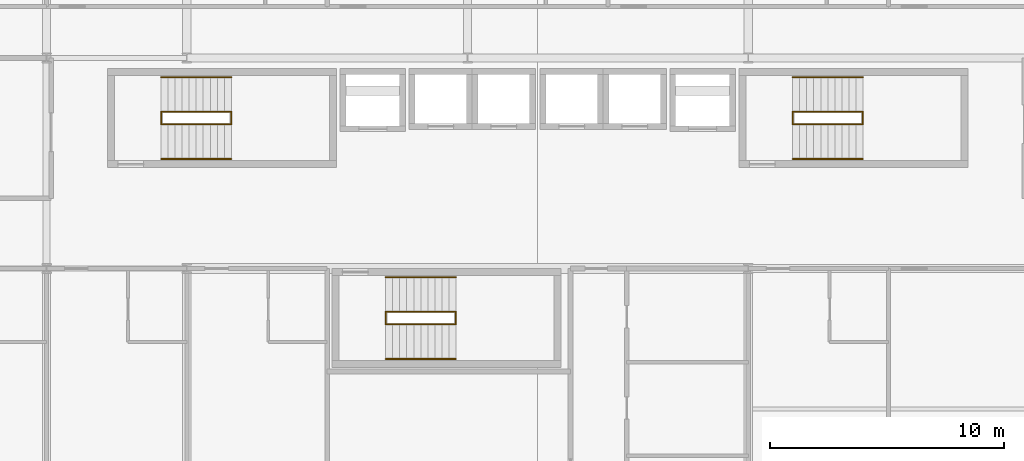
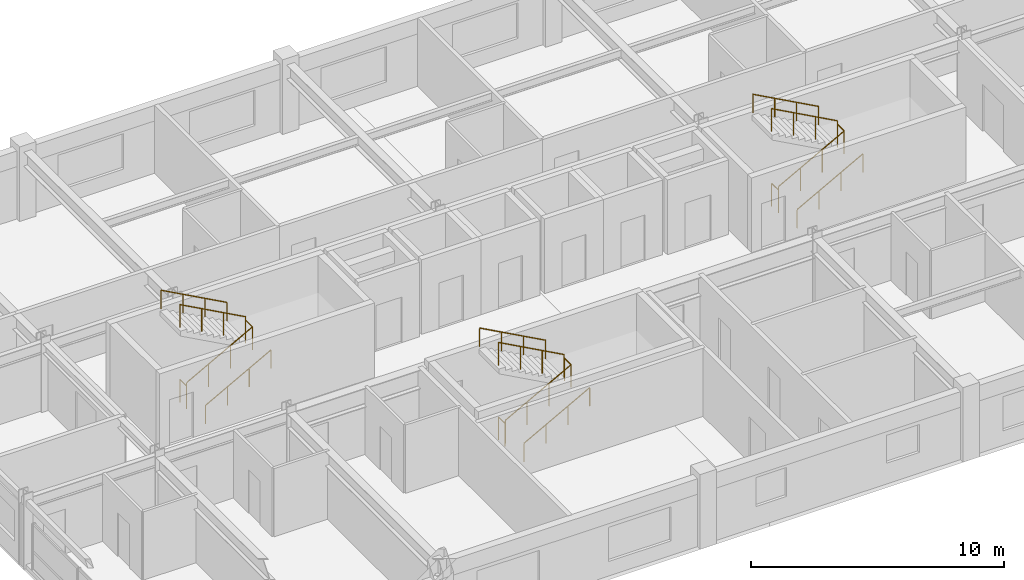
# One storey, part 20 of 20: 18 railings.
"""IFC4 building model written with IfcOpenShell, lengths in metres."""

from ifc_helpers import new_model, si_unit, direction, frame, origin, origin_2d, place, context, subcontext, project, spatial, circle, extrude, material, type_object, element, save


model = new_model("IFC4")

# Units and contexts
model_context = context("Model", 3, precision=1e-05, world=origin(), true_north=direction((0.0, 1.0)))
body_context = subcontext(model_context, "Body", "Model", "MODEL_VIEW")
ifc_project = project(units=[si_unit("LENGTHUNIT", "METRE"), si_unit("AREAUNIT", "SQUARE_METRE"), si_unit("VOLUMEUNIT", "CUBIC_METRE"), si_unit("PLANEANGLEUNIT", "RADIAN"), si_unit("MASSUNIT", "GRAM", prefix="KILO")], contexts=[model_context])

# Site, building, storey
site_placement = place(None, origin())
site = spatial("IfcSite", under=ifc_project, at=site_placement, CompositionType="ELEMENT")
building_placement = place(site_placement, origin())
building = spatial("IfcBuilding", under=site, at=building_placement, Name="Kaldorvane Square Convention Centre", CompositionType="ELEMENT")
storey_placement = place(building_placement, frame((0.0, 0.0, 52.80000305175781)))
storey = spatial("IfcBuildingStorey", under=building, at=storey_placement, Name="L12", CompositionType="ELEMENT", Elevation=52.80000305175781)

# Railings
ifc_material = material(Name="Architectural Painted Steel", Category="steel")
railing_type_1 = type_object("IfcRailingType", Name="RL-GUARD-1120", PredefinedType="BALUSTRADE", material=ifc_material)
for number, where, name in (
    (1, (40.899993896484375, 102.16999816894531, 0.0), "Tower Exit Stair T1 Floor Well Guard (L12)"),
    (2, (43.899993896484375, 102.16999816894531, 1.8000030517578125), "Tower Exit Stair T1 Half-Landing Guard (L12)"),
):
    element("IfcRailing", number, at=place(storey_placement, frame(where)), inside=storey, type_object=railing_type_1, Name=name, PredefinedType="BALUSTRADE", context=body_context, shape_type="SweptSolid", body=[
        extrude(circle(Radius=0.0240020751953125, at=origin_2d()), frame((0.0, 0.0, 1.0959930419921875), z_axis=(0.0, 1.0, 0.0), x_axis=(-1.0, 0.0, 0.0)), (0.0, 0.0, 1.0), 0.5200042724609375),
        extrude(circle(Radius=0.02099609375, at=origin_2d()), origin(), (0.0, 0.0, 1.0), 1.071990966796875),
        extrude(circle(Radius=0.02099609375, at=origin_2d()), frame((0.0, 0.5200042724609375, 0.0)), (0.0, 0.0, 1.0), 1.071990966796875),
    ])
railing_1_placement = place(storey_placement, frame((40.899993896484375, 102.16000366210938, 0.16363525390625)))
element("IfcRailing", 3, at=railing_1_placement, inside=storey, type_object=railing_type_1, Name="Tower Exit Stair T1 Flight 1 Guard (L12)", PredefinedType="BALUSTRADE", context=body_context, shape_type="SweptSolid", body=[
    extrude(circle(Radius=0.0240020751953125, at=origin_2d()), frame((0.0, 0.0, 1.0959930419921875), z_axis=(0.87789506098, 0.0, 0.478853069227), x_axis=(0.0, 1.0, 0.0)), (0.0, 0.0, 1.0), 3.417266845703125),
    extrude(circle(Radius=0.02099609375, at=origin_2d()), origin(), (0.0, 0.0, 1.0), 1.071990966796875),
    extrude(circle(Radius=0.02099609375, at=origin_2d()), frame((1.0, 0.0, 0.5454559326171875)), (0.0, 0.0, 1.0), 1.071990966796875),
    extrude(circle(Radius=0.02099609375, at=origin_2d()), frame((2.0, 0.0, 1.090911865234375)), (0.0, 0.0, 1.0), 1.071990966796875),
    extrude(circle(Radius=0.02099609375, at=origin_2d()), frame((3.0, 0.0, 1.6363677978515625)), (0.0, 0.0, 1.0), 1.071990966796875),
])
railing_2_placement = place(storey_placement, frame((43.899993896484375, 102.69999694824219, 1.9636383056640625)))
element("IfcRailing", 4, at=railing_2_placement, inside=storey, type_object=railing_type_1, Name="Tower Exit Stair T1 Flight 2 Guard (L12)", PredefinedType="BALUSTRADE", context=body_context, shape_type="SweptSolid", body=[
    extrude(circle(Radius=0.0240020751953125, at=origin_2d()), frame((0.0, 0.0, 1.0959930419921875), z_axis=(-0.877896938072, 0.0, 0.478849627883), x_axis=(0.0, -1.0, 0.0)), (0.0, 0.0, 1.0), 3.4172515869140625),
    extrude(circle(Radius=0.02099609375, at=origin_2d()), origin(), (0.0, 0.0, 1.0), 1.071990966796875),
    extrude(circle(Radius=0.02099609375, at=origin_2d()), frame((-1.0, 0.0, 0.5454559326171875)), (0.0, 0.0, 1.0), 1.071990966796875),
    extrude(circle(Radius=0.02099609375, at=origin_2d()), frame((-2.0, 0.0, 1.0908966064453125)), (0.0, 0.0, 1.0), 1.071990966796875),
    extrude(circle(Radius=0.02099609375, at=origin_2d()), frame((-3.0, 0.0, 1.6363525390625)), (0.0, 0.0, 1.0), 1.071990966796875),
])
for number, where, name in (
    (5, (67.89999389648438, 102.16999816894531, 0.0), "Tower Exit Stair T2 Floor Well Guard (L12)"),
    (6, (70.89999389648438, 102.16999816894531, 1.8000030517578125), "Tower Exit Stair T2 Half-Landing Guard (L12)"),
):
    element("IfcRailing", number, at=place(storey_placement, frame(where)), inside=storey, type_object=railing_type_1, Name=name, PredefinedType="BALUSTRADE", context=body_context, shape_type="SweptSolid", body=[
        extrude(circle(Radius=0.0240020751953125, at=origin_2d()), frame((0.0, 0.0, 1.0959930419921875), z_axis=(0.0, 1.0, 0.0), x_axis=(-1.0, 0.0, 0.0)), (0.0, 0.0, 1.0), 0.5200042724609375),
        extrude(circle(Radius=0.02099609375, at=origin_2d()), origin(), (0.0, 0.0, 1.0), 1.071990966796875),
        extrude(circle(Radius=0.02099609375, at=origin_2d()), frame((0.0, 0.5200042724609375, 0.0)), (0.0, 0.0, 1.0), 1.071990966796875),
    ])
railing_3_placement = place(storey_placement, frame((67.89999389648438, 102.16000366210938, 0.16363525390625)))
element("IfcRailing", 7, at=railing_3_placement, inside=storey, type_object=railing_type_1, Name="Tower Exit Stair T2 Flight 1 Guard (L12)", PredefinedType="BALUSTRADE", context=body_context, shape_type="SweptSolid", body=[
    extrude(circle(Radius=0.0240020751953125, at=origin_2d()), frame((0.0, 0.0, 1.0959930419921875), z_axis=(0.87789506098, 0.0, 0.478853069227), x_axis=(0.0, 1.0, 0.0)), (0.0, 0.0, 1.0), 3.417266845703125),
    extrude(circle(Radius=0.02099609375, at=origin_2d()), origin(), (0.0, 0.0, 1.0), 1.071990966796875),
    extrude(circle(Radius=0.02099609375, at=origin_2d()), frame((1.0, 0.0, 0.5454559326171875)), (0.0, 0.0, 1.0), 1.071990966796875),
    extrude(circle(Radius=0.02099609375, at=origin_2d()), frame((2.0, 0.0, 1.090911865234375)), (0.0, 0.0, 1.0), 1.071990966796875),
    extrude(circle(Radius=0.02099609375, at=origin_2d()), frame((3.0, 0.0, 1.6363677978515625)), (0.0, 0.0, 1.0), 1.071990966796875),
])
railing_4_placement = place(storey_placement, frame((70.89999389648438, 102.69999694824219, 1.9636383056640625)))
element("IfcRailing", 8, at=railing_4_placement, inside=storey, type_object=railing_type_1, Name="Tower Exit Stair T2 Flight 2 Guard (L12)", PredefinedType="BALUSTRADE", context=body_context, shape_type="SweptSolid", body=[
    extrude(circle(Radius=0.0240020751953125, at=origin_2d()), frame((0.0, 0.0, 1.0959930419921875), z_axis=(-0.877896938072, 0.0, 0.478849627883), x_axis=(0.0, -1.0, 0.0)), (0.0, 0.0, 1.0), 3.4172515869140625),
    extrude(circle(Radius=0.02099609375, at=origin_2d()), origin(), (0.0, 0.0, 1.0), 1.071990966796875),
    extrude(circle(Radius=0.02099609375, at=origin_2d()), frame((-1.0, 0.0, 0.5454559326171875)), (0.0, 0.0, 1.0), 1.071990966796875),
    extrude(circle(Radius=0.02099609375, at=origin_2d()), frame((-2.0, 0.0, 1.0908966064453125)), (0.0, 0.0, 1.0), 1.071990966796875),
    extrude(circle(Radius=0.02099609375, at=origin_2d()), frame((-3.0, 0.0, 1.6363525390625)), (0.0, 0.0, 1.0), 1.071990966796875),
])
for number, where, name in (
    (9, (50.5, 93.6199951171875, 0.0), "Tower Exit Stair T3 Floor Well Guard (L12)"),
    (10, (53.5, 93.6199951171875, 1.8000030517578125), "Tower Exit Stair T3 Half-Landing Guard (L12)"),
):
    element("IfcRailing", number, at=place(storey_placement, frame(where)), inside=storey, type_object=railing_type_1, Name=name, PredefinedType="BALUSTRADE", context=body_context, shape_type="SweptSolid", body=[
        extrude(circle(Radius=0.0240020751953125, at=origin_2d()), frame((0.0, 0.0, 1.0959930419921875), z_axis=(0.0, 1.0, 0.0), x_axis=(-1.0, 0.0, 0.0)), (0.0, 0.0, 1.0), 0.5200042724609375),
        extrude(circle(Radius=0.02099609375, at=origin_2d()), origin(), (0.0, 0.0, 1.0), 1.071990966796875),
        extrude(circle(Radius=0.02099609375, at=origin_2d()), frame((0.0, 0.5200042724609375, 0.0)), (0.0, 0.0, 1.0), 1.071990966796875),
    ])
railing_5_placement = place(storey_placement, frame((50.5, 93.61000061035156, 0.16363525390625)))
element("IfcRailing", 11, at=railing_5_placement, inside=storey, type_object=railing_type_1, Name="Tower Exit Stair T3 Flight 1 Guard (L12)", PredefinedType="BALUSTRADE", context=body_context, shape_type="SweptSolid", body=[
    extrude(circle(Radius=0.0240020751953125, at=origin_2d()), frame((0.0, 0.0, 1.0959930419921875), z_axis=(0.87789506098, 0.0, 0.478853069227), x_axis=(0.0, 1.0, 0.0)), (0.0, 0.0, 1.0), 3.417266845703125),
    extrude(circle(Radius=0.02099609375, at=origin_2d()), origin(), (0.0, 0.0, 1.0), 1.071990966796875),
    extrude(circle(Radius=0.02099609375, at=origin_2d()), frame((1.0, 0.0, 0.5454559326171875)), (0.0, 0.0, 1.0), 1.071990966796875),
    extrude(circle(Radius=0.02099609375, at=origin_2d()), frame((2.0, 0.0, 1.090911865234375)), (0.0, 0.0, 1.0), 1.071990966796875),
    extrude(circle(Radius=0.02099609375, at=origin_2d()), frame((3.0, 0.0, 1.6363677978515625)), (0.0, 0.0, 1.0), 1.071990966796875),
])
railing_6_placement = place(storey_placement, frame((53.5, 94.14999389648438, 1.9636383056640625)))
element("IfcRailing", 12, at=railing_6_placement, inside=storey, type_object=railing_type_1, Name="Tower Exit Stair T3 Flight 2 Guard (L12)", PredefinedType="BALUSTRADE", context=body_context, shape_type="SweptSolid", body=[
    extrude(circle(Radius=0.0240020751953125, at=origin_2d()), frame((0.0, 0.0, 1.0959930419921875), z_axis=(-0.877896938072, 0.0, 0.478849627883), x_axis=(0.0, -1.0, 0.0)), (0.0, 0.0, 1.0), 3.4172515869140625),
    extrude(circle(Radius=0.02099609375, at=origin_2d()), origin(), (0.0, 0.0, 1.0), 1.071990966796875),
    extrude(circle(Radius=0.02099609375, at=origin_2d()), frame((-1.0, 0.0, 0.5454559326171875)), (0.0, 0.0, 1.0), 1.071990966796875),
    extrude(circle(Radius=0.02099609375, at=origin_2d()), frame((-2.0, 0.0, 1.0908966064453125)), (0.0, 0.0, 1.0), 1.071990966796875),
    extrude(circle(Radius=0.02099609375, at=origin_2d()), frame((-3.0, 0.0, 1.6363525390625)), (0.0, 0.0, 1.0), 1.071990966796875),
])
railing_type_2 = type_object("IfcRailingType", Name="RL-HAND-915", PredefinedType="HANDRAIL", material=ifc_material)
railing_7_placement = place(storey_placement, frame((40.899993896484375, 100.67999267578125, 0.16363525390625)))
element("IfcRailing", 13, at=railing_7_placement, inside=storey, type_object=railing_type_2, Name="Tower Exit Stair T1 Wall Handrail 1 (L12)", PredefinedType="HANDRAIL", context=body_context, shape_type="SweptSolid", body=[
    extrude(circle(Radius=0.0240020751953125, at=origin_2d()), frame((0.0, 0.0, 0.8909912109375), z_axis=(0.87789506098, 0.0, 0.478853069227), x_axis=(0.0, 1.0, 0.0)), (0.0, 0.0, 1.0), 3.417266845703125),
    extrude(circle(Radius=0.02099609375, at=origin_2d()), origin(), (0.0, 0.0, 1.0), 0.8669891357421875),
    extrude(circle(Radius=0.02099609375, at=origin_2d()), frame((1.0, 0.0, 0.5454559326171875)), (0.0, 0.0, 1.0), 0.8669891357421875),
    extrude(circle(Radius=0.02099609375, at=origin_2d()), frame((2.0, 0.0, 1.090911865234375)), (0.0, 0.0, 1.0), 0.8669891357421875),
    extrude(circle(Radius=0.02099609375, at=origin_2d()), frame((3.0, 0.0, 1.6363677978515625)), (0.0, 0.0, 1.0), 0.8669891357421875),
])
railing_8_placement = place(storey_placement, frame((43.899993896484375, 104.17999267578125, 1.9636383056640625)))
element("IfcRailing", 14, at=railing_8_placement, inside=storey, type_object=railing_type_2, Name="Tower Exit Stair T1 Wall Handrail 2 (L12)", PredefinedType="HANDRAIL", context=body_context, shape_type="SweptSolid", body=[
    extrude(circle(Radius=0.0240020751953125, at=origin_2d()), frame((0.0, 0.0, 0.8909912109375), z_axis=(-0.877896938072, 0.0, 0.478849627883), x_axis=(0.0, -1.0, 0.0)), (0.0, 0.0, 1.0), 3.4172515869140625),
    extrude(circle(Radius=0.02099609375, at=origin_2d()), origin(), (0.0, 0.0, 1.0), 0.8669891357421875),
    extrude(circle(Radius=0.02099609375, at=origin_2d()), frame((-1.0, 0.0, 0.5454559326171875)), (0.0, 0.0, 1.0), 0.8669891357421875),
    extrude(circle(Radius=0.02099609375, at=origin_2d()), frame((-2.0, 0.0, 1.0908966064453125)), (0.0, 0.0, 1.0), 0.8669891357421875),
    extrude(circle(Radius=0.02099609375, at=origin_2d()), frame((-3.0, 0.0, 1.6363525390625)), (0.0, 0.0, 1.0), 0.8669891357421875),
])
railing_9_placement = place(storey_placement, frame((67.89999389648438, 100.67999267578125, 0.16363525390625)))
element("IfcRailing", 15, at=railing_9_placement, inside=storey, type_object=railing_type_2, Name="Tower Exit Stair T2 Wall Handrail 1 (L12)", PredefinedType="HANDRAIL", context=body_context, shape_type="SweptSolid", body=[
    extrude(circle(Radius=0.0240020751953125, at=origin_2d()), frame((0.0, 0.0, 0.8909912109375), z_axis=(0.87789506098, 0.0, 0.478853069227), x_axis=(0.0, 1.0, 0.0)), (0.0, 0.0, 1.0), 3.417266845703125),
    extrude(circle(Radius=0.02099609375, at=origin_2d()), origin(), (0.0, 0.0, 1.0), 0.8669891357421875),
    extrude(circle(Radius=0.02099609375, at=origin_2d()), frame((1.0, 0.0, 0.5454559326171875)), (0.0, 0.0, 1.0), 0.8669891357421875),
    extrude(circle(Radius=0.02099609375, at=origin_2d()), frame((2.0, 0.0, 1.090911865234375)), (0.0, 0.0, 1.0), 0.8669891357421875),
    extrude(circle(Radius=0.02099609375, at=origin_2d()), frame((3.0, 0.0, 1.6363677978515625)), (0.0, 0.0, 1.0), 0.8669891357421875),
])
railing_10_placement = place(storey_placement, frame((70.89999389648438, 104.17999267578125, 1.9636383056640625)))
element("IfcRailing", 16, at=railing_10_placement, inside=storey, type_object=railing_type_2, Name="Tower Exit Stair T2 Wall Handrail 2 (L12)", PredefinedType="HANDRAIL", context=body_context, shape_type="SweptSolid", body=[
    extrude(circle(Radius=0.0240020751953125, at=origin_2d()), frame((0.0, 0.0, 0.8909912109375), z_axis=(-0.877896938072, 0.0, 0.478849627883), x_axis=(0.0, -1.0, 0.0)), (0.0, 0.0, 1.0), 3.4172515869140625),
    extrude(circle(Radius=0.02099609375, at=origin_2d()), origin(), (0.0, 0.0, 1.0), 0.8669891357421875),
    extrude(circle(Radius=0.02099609375, at=origin_2d()), frame((-1.0, 0.0, 0.5454559326171875)), (0.0, 0.0, 1.0), 0.8669891357421875),
    extrude(circle(Radius=0.02099609375, at=origin_2d()), frame((-2.0, 0.0, 1.0908966064453125)), (0.0, 0.0, 1.0), 0.8669891357421875),
    extrude(circle(Radius=0.02099609375, at=origin_2d()), frame((-3.0, 0.0, 1.6363525390625)), (0.0, 0.0, 1.0), 0.8669891357421875),
])
railing_11_placement = place(storey_placement, frame((50.5, 92.1300048828125, 0.16363525390625)))
element("IfcRailing", 17, at=railing_11_placement, inside=storey, type_object=railing_type_2, Name="Tower Exit Stair T3 Wall Handrail 1 (L12)", PredefinedType="HANDRAIL", context=body_context, shape_type="SweptSolid", body=[
    extrude(circle(Radius=0.0240020751953125, at=origin_2d()), frame((0.0, 0.0, 0.8909912109375), z_axis=(0.87789506098, 0.0, 0.478853069227), x_axis=(0.0, 1.0, 0.0)), (0.0, 0.0, 1.0), 3.417266845703125),
    extrude(circle(Radius=0.02099609375, at=origin_2d()), origin(), (0.0, 0.0, 1.0), 0.8669891357421875),
    extrude(circle(Radius=0.02099609375, at=origin_2d()), frame((1.0, 0.0, 0.5454559326171875)), (0.0, 0.0, 1.0), 0.8669891357421875),
    extrude(circle(Radius=0.02099609375, at=origin_2d()), frame((2.0, 0.0, 1.090911865234375)), (0.0, 0.0, 1.0), 0.8669891357421875),
    extrude(circle(Radius=0.02099609375, at=origin_2d()), frame((3.0, 0.0, 1.6363677978515625)), (0.0, 0.0, 1.0), 0.8669891357421875),
])
railing_12_placement = place(storey_placement, frame((53.5, 95.6300048828125, 1.9636383056640625)))
element("IfcRailing", 18, at=railing_12_placement, inside=storey, type_object=railing_type_2, Name="Tower Exit Stair T3 Wall Handrail 2 (L12)", PredefinedType="HANDRAIL", context=body_context, shape_type="SweptSolid", body=[
    extrude(circle(Radius=0.0240020751953125, at=origin_2d()), frame((0.0, 0.0, 0.8909912109375), z_axis=(-0.877896938072, 0.0, 0.478849627883), x_axis=(0.0, -1.0, 0.0)), (0.0, 0.0, 1.0), 3.4172515869140625),
    extrude(circle(Radius=0.02099609375, at=origin_2d()), origin(), (0.0, 0.0, 1.0), 0.8669891357421875),
    extrude(circle(Radius=0.02099609375, at=origin_2d()), frame((-1.0, 0.0, 0.5454559326171875)), (0.0, 0.0, 1.0), 0.8669891357421875),
    extrude(circle(Radius=0.02099609375, at=origin_2d()), frame((-2.0, 0.0, 1.0908966064453125)), (0.0, 0.0, 1.0), 0.8669891357421875),
    extrude(circle(Radius=0.02099609375, at=origin_2d()), frame((-3.0, 0.0, 1.6363525390625)), (0.0, 0.0, 1.0), 0.8669891357421875),
])

save(model, "model.ifc")
